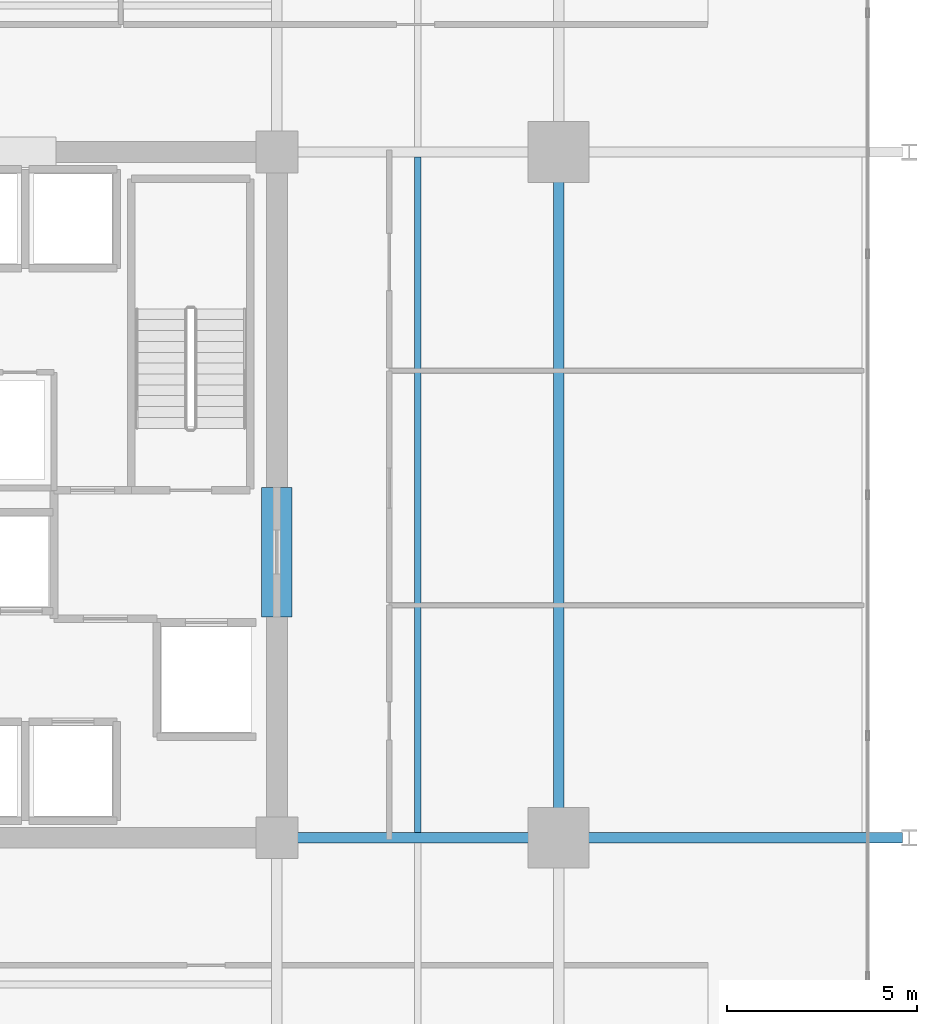
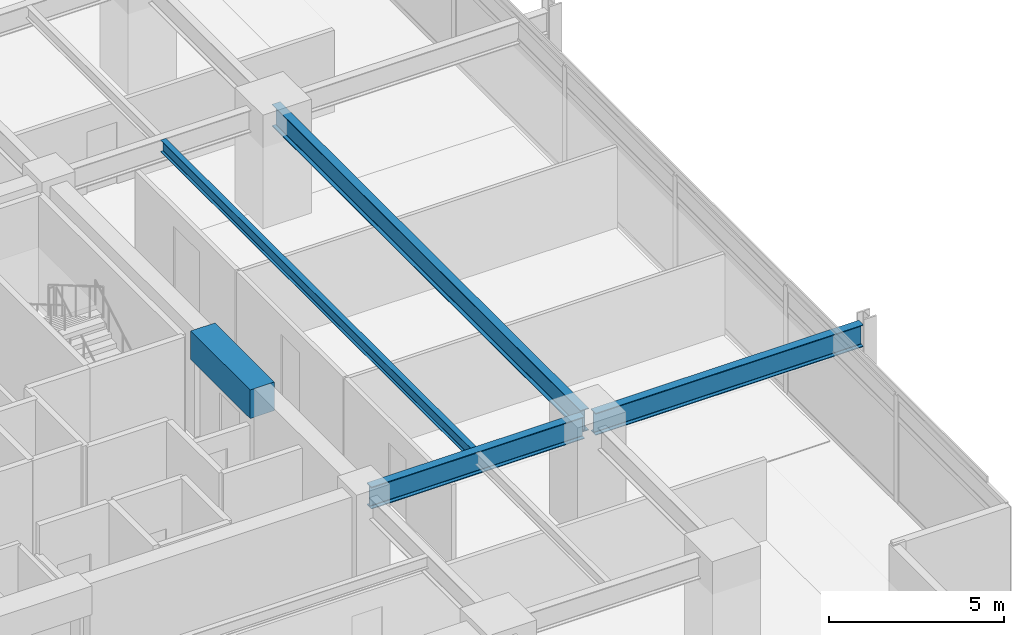
# One storey, part 3 of 24: 5 beams.
"""IFC4 building model written with IfcOpenShell, lengths in metres."""

from ifc_helpers import new_model, si_unit, direction, frame, origin, origin_2d, place, context, subcontext, project, spatial, rectangle, i_section, extrude, material, material_profile, profile_set, type_object, element, save


model = new_model("IFC4")

# Units and contexts
model_context = context("Model", 3, precision=1e-05, world=origin(), true_north=direction((0.0, 1.0)))
body_context = subcontext(model_context, "Body", "Model", "MODEL_VIEW")
ifc_project = project(units=[si_unit("LENGTHUNIT", "METRE"), si_unit("AREAUNIT", "SQUARE_METRE"), si_unit("VOLUMEUNIT", "CUBIC_METRE"), si_unit("PLANEANGLEUNIT", "RADIAN"), si_unit("MASSUNIT", "GRAM", prefix="KILO")], contexts=[model_context])

# Site, building, storey
site_placement = place(None, origin())
site = spatial("IfcSite", under=ifc_project, at=site_placement, CompositionType="ELEMENT")
building_placement = place(site_placement, origin())
building = spatial("IfcBuilding", under=site, at=building_placement, Name="Kovane Verandah Tower", CompositionType="ELEMENT")
storey_placement = place(building_placement, frame((0.0, 0.0, 144.39990234375)))
storey = spatial("IfcBuildingStorey", under=building, at=storey_placement, Name="L33", CompositionType="ELEMENT", Elevation=144.39990234375)

# Beams
ifc_material_1 = material(Name="Concrete C60/75", Category="concrete")
ifc_material_profile_1 = material_profile(ifc_material_1, rectangle(XDim=0.800048828125, YDim=1.0, at=origin_2d()), Name="RCB800x1000")
ifc_profile_set_1 = profile_set([ifc_material_profile_1], Name="Concrete C60/75")
beam_type_1 = type_object("IfcBeamType", Name="BM-LINTEL-800x1000", PredefinedType="LINTEL", material=ifc_profile_set_1)
beam_1_placement = place(storey_placement, frame((51.0, 24.300048828125, 3.275146484375), z_axis=(0.0, 1.0, 0.0), x_axis=(-1.0, 0.0, 0.0)))
element("IfcBeam", 1, at=beam_1_placement, inside=storey, type_object=beam_type_1, Name="L33 Core Coupling Lintel CL-E", PredefinedType="LINTEL", context=body_context, shape_type="SweptSolid", body=[
    extrude(rectangle(XDim=0.800048828125, YDim=1.0, at=origin_2d()), origin(), (0.0, 0.0, 1.0), 3.39990234375),
])
ifc_material_2 = material(Name="Steel S355", Category="steel")
ifc_material_profile_2 = material_profile(ifc_material_2, i_section(OverallWidth=0.26806640625, OverallDepth=0.769775390625, WebThickness=0.015625, FlangeThickness=0.025390625, FilletRadius=0.0166015625, at=origin_2d()), Name="UB762x267x197")
ifc_profile_set_2 = profile_set([ifc_material_profile_2], Name="Steel S355")
beam_type_2 = type_object("IfcBeamType", Name="BM-UB762x197", PredefinedType="BEAM", material=ifc_profile_set_2)
beam_2_placement = place(storey_placement, frame((58.39990234375, 18.679931640625, 3.39013671875), z_axis=(0.0, 1.0, 0.0), x_axis=(-1.0, 0.0, 0.0)))
element("IfcBeam", 2, at=beam_2_placement, inside=storey, type_object=beam_type_2, Name="L33 Primary Tower Girder G-RE2", PredefinedType="BEAM", context=body_context, shape_type="SweptSolid", body=[
    extrude(i_section(OverallWidth=0.26806640625, OverallDepth=0.769775390625, WebThickness=0.015625, FlangeThickness=0.025390625, FilletRadius=0.0166015625, at=origin_2d()), origin(), (0.0, 0.0, 1.0), 17.64013671875),
])
beam_3_placement = place(storey_placement, frame((51.179931640625, 18.5, 3.39013671875), z_axis=(1.0, 0.0, 0.0), x_axis=(0.0, 1.0, 0.0)))
element("IfcBeam", 3, at=beam_3_placement, inside=storey, type_object=beam_type_2, Name="L33 Primary Tower Girder G-E1", PredefinedType="BEAM", context=body_context, shape_type="SweptSolid", body=[
    extrude(i_section(OverallWidth=0.26806640625, OverallDepth=0.769775390625, WebThickness=0.015625, FlangeThickness=0.025390625, FilletRadius=0.0166015625, at=origin_2d()), origin(), (0.0, 0.0, 1.0), 7.0400390625),
])
beam_4_placement = place(storey_placement, frame((58.580078125, 18.5, 3.375244140625), z_axis=(1.0, 0.0, 0.0), x_axis=(0.0, 1.0, 0.0)))
element("IfcBeam", 4, at=beam_4_placement, inside=storey, type_object=beam_type_2, Name="L33 Primary Tower Girder G-VE1", PredefinedType="BEAM", context=body_context, shape_type="SweptSolid", body=[
    extrude(i_section(OverallWidth=0.26806640625, OverallDepth=0.769775390625, WebThickness=0.015625, FlangeThickness=0.025390625, FilletRadius=0.0166015625, at=origin_2d()), origin(), (0.0, 0.0, 1.0), 8.83984375),
])
ifc_material_profile_3 = material_profile(ifc_material_2, i_section(OverallWidth=0.179443359375, OverallDepth=0.412841796875, WebThickness=0.009521484375, FlangeThickness=0.01611328125, FilletRadius=0.01025390625, at=origin_2d()), Name="UB406x178x74")
ifc_profile_set_3 = profile_set([ifc_material_profile_3], Name="Steel S355")
beam_type_3 = type_object("IfcBeamType", Name="JST-UB406x74", PredefinedType="JOIST", material=ifc_profile_set_3)
beam_5_placement = place(storey_placement, frame((54.699951171875, 18.632080078125, 3.568603515625), z_axis=(0.0, 1.0, 0.0), x_axis=(-1.0, 0.0, 0.0)))
element("IfcBeam", 5, at=beam_5_placement, inside=storey, type_object=beam_type_3, Name="L33 Secondary Composite Joist J-E1", PredefinedType="JOIST", context=body_context, shape_type="SweptSolid", body=[
    extrude(i_section(OverallWidth=0.179443359375, OverallDepth=0.412841796875, WebThickness=0.009521484375, FlangeThickness=0.01611328125, FilletRadius=0.01025390625, at=origin_2d()), origin(), (0.0, 0.0, 1.0), 17.73583984375),
])

save(model, "model.ifc")
